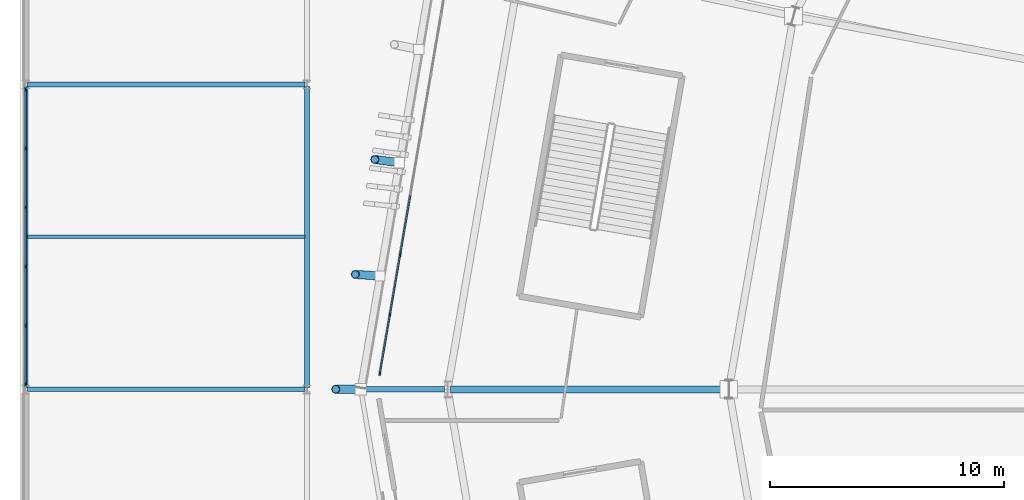
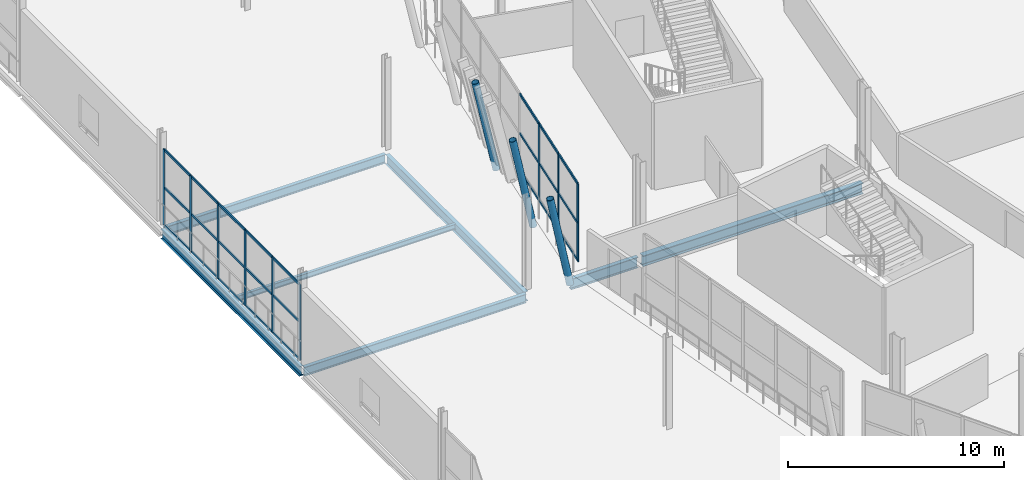
# One storey, part 37 of 168: 36 members, 7 beams, 2 elements without a shape of their own.
"""IFC4 building model written with IfcOpenShell, lengths in metres."""

import ifcopenshell
import ifcopenshell.guid

model = None  # the IFC model being written
_history = None  # IfcOwnerHistory: only IFC2X3 demands one
_inside = {}  # id of a spatial element -> (the spatial element, [elements in it])
_under = {}  # id of a project, library or spatial element -> (it, [spatial elements below it])
_declared = {}  # id of a project -> (the project, [libraries it declares])
_typed = {}  # id of a type object -> (the type object, [elements of that type])
_made_of = {}  # id of a material, layer set ... -> (it, [elements and type objects made of it])


def new_model(schema):
    """Start an empty IFC model of exactly this schema.

    Asked for "IFC4X3", IfcOpenShell would pick the latest addendum, in which some entities
    have other attributes; the version numbers below select the first issue.
    IFC2X3 requires an IfcOwnerHistory on every rooted entity: one is made here for all.
    """
    global model, _history
    if schema == "IFC4X3":
        model = ifcopenshell.file(schema_version=(4, 3, 0, 0))
    else:
        model = ifcopenshell.file(schema=schema)
    _inside.clear()
    _under.clear()
    _declared.clear()
    _typed.clear()
    _made_of.clear()
    _history = None
    if model.schema == "IFC2X3":
        org = make("IfcOrganization", Name="unknown")
        user = make(
            "IfcPersonAndOrganization",
            ThePerson=make("IfcPerson", FamilyName="unknown"),
            TheOrganization=org,
        )
        app = make(
            "IfcApplication",
            ApplicationDeveloper=org,
            Version="unknown",
            ApplicationFullName="unknown",
            ApplicationIdentifier="unknown",
        )
        _history = make(
            "IfcOwnerHistory",
            OwningUser=user,
            OwningApplication=app,
            ChangeAction="ADDED",
            CreationDate=0,
        )
    return model


def make(cls, **values):
    """One entity of the class cls with the attributes given. An attribute that is None is left unset."""
    return model.create_entity(
        cls, **{name: value for name, value in values.items() if value is not None}
    )


def rooted(cls, **values):
    """An entity with a GlobalId (a new one), such as an element, a storey or a relation."""
    return make(cls, GlobalId=ifcopenshell.guid.new(), OwnerHistory=_history, **values)


def si_unit(unit_type, name, prefix=None):
    """IfcSIUnit, for example si_unit("LENGTHUNIT", "METRE", prefix="MILLI")."""
    return make("IfcSIUnit", UnitType=unit_type, Prefix=prefix, Name=name)


def assignment(units):
    """IfcUnitAssignment: the units of a project."""
    return None if units is None else make("IfcUnitAssignment", Units=units)


def point(xyz):
    """IfcCartesianPoint."""
    return None if xyz is None else make("IfcCartesianPoint", Coordinates=xyz)


def direction(xyz):
    """IfcDirection."""
    return None if xyz is None else make("IfcDirection", DirectionRatios=xyz)


def frame(location, z_axis=None, x_axis=None):
    """IfcAxis2Placement3D, a coordinate frame: its origin and axes. An axis left out is left unset."""
    return make(
        "IfcAxis2Placement3D",
        Location=point(location),
        Axis=direction(z_axis),
        RefDirection=direction(x_axis),
    )


def frame_2d(location, x_axis=None):
    """IfcAxis2Placement2D, a coordinate frame in the plane: its origin and x axis."""
    return make(
        "IfcAxis2Placement2D", Location=point(location), RefDirection=direction(x_axis)
    )


def origin():
    """The frame at (0, 0, 0) with its axes left unset."""
    return frame((0.0, 0.0, 0.0))


def origin_2d():
    """The frame at (0, 0) in the plane with its x axis left unset."""
    return frame_2d((0.0, 0.0))


def place(relative_to, where):
    """IfcLocalPlacement: puts the frame where relative to a parent placement (None: the world)."""
    return make(
        "IfcLocalPlacement", PlacementRelTo=relative_to, RelativePlacement=where
    )


def context(
    kind, dimensions, precision=None, world=None, true_north=None, identifier=None
):
    """IfcGeometricRepresentationContext, for example the 3D "Model" context."""
    return make(
        "IfcGeometricRepresentationContext",
        ContextIdentifier=identifier,
        ContextType=kind,
        CoordinateSpaceDimension=dimensions,
        Precision=precision,
        WorldCoordinateSystem=world,
        TrueNorth=true_north,
    )


def subcontext(parent, identifier, kind, view, scale=None):
    """IfcGeometricRepresentationSubContext, for example "Body" below "Model"."""
    return make(
        "IfcGeometricRepresentationSubContext",
        ContextIdentifier=identifier,
        ContextType=kind,
        ParentContext=parent,
        TargetScale=scale,
        TargetView=view,
    )


def project(units=None, contexts=None):
    """IfcProject with its units and contexts."""
    return rooted(
        "IfcProject",
        Name="project",
        RepresentationContexts=contexts,
        UnitsInContext=assignment(units),
    )


def spatial(cls, under=None, at=None, **own):
    """A site, building, storey or space (cls), placed at a placement, below another one or the project."""
    s = rooted(cls, ObjectPlacement=at, **own)
    if under is not None:
        _under.setdefault(under.id(), (under, []))[1].append(s)
    return s


def profile(cls, at=None, kind="AREA", **sizes):
    """A parametric profile (cls). Its sizes go by their IFC names, for example OverallWidth=200.0."""
    return make(cls, ProfileType=kind, Position=at, **sizes)


def rectangle(**sizes):
    """IfcRectangleProfileDef."""
    return profile("IfcRectangleProfileDef", **sizes)


def hollow_circle(**sizes):
    """IfcCircleHollowProfileDef."""
    return profile("IfcCircleHollowProfileDef", **sizes)


def i_section(**sizes):
    """IfcIShapeProfileDef."""
    return profile("IfcIShapeProfileDef", **sizes)


def extrude(swept, where, along, depth):
    """IfcExtrudedAreaSolid: the profile swept, set in the frame where, extruded along a direction by depth."""
    return make(
        "IfcExtrudedAreaSolid",
        SweptArea=swept,
        Position=where,
        ExtrudedDirection=direction(along),
        Depth=depth,
    )


def shape(context_of_items, identifier, shape_type, items):
    """IfcShapeRepresentation: the items that make up one representation, for example the "Body"."""
    return make(
        "IfcShapeRepresentation",
        ContextOfItems=context_of_items,
        RepresentationIdentifier=identifier,
        RepresentationType=shape_type,
        Items=items,
    )


def material(Name=None, Category=None):
    """IfcMaterial."""
    return make("IfcMaterial", Name=Name, Category=Category)


def material_profile(
    of_material, cross_section, Name=None, Category=None, Priority=None
):
    """IfcMaterialProfile: a cross section and its material."""
    return make(
        "IfcMaterialProfile",
        Name=Name,
        Material=of_material,
        Profile=cross_section,
        Priority=Priority,
        Category=Category,
    )


def profile_set(profiles, Name=None, composite=None):
    """IfcMaterialProfileSet."""
    return make(
        "IfcMaterialProfileSet",
        Name=Name,
        MaterialProfiles=profiles,
        CompositeProfile=composite,
    )


def made_of(thing, what):
    """Note that an element or type object is made of a material, layer set ...; save() writes the relation."""
    if what is not None:
        _made_of.setdefault(what.id(), (what, []))[1].append(thing)
    return thing


def type_object(cls, material=None, **own):
    """A type object (cls), such as IfcWallType, which elements share."""
    return made_of(rooted(cls, **own), material)


def element(
    cls,
    number,
    at=None,
    inside=None,
    cuts=None,
    type_object=None,
    material=None,
    context=None,
    identifier="Body",
    shape_type=None,
    held_by="IfcProductDefinitionShape",
    body=None,
    shapes=None,
    **own,
):
    """One element of the class cls, such as IfcWall. Its Tag is "e" and its number.

    at: its placement. inside: the storey or other place that contains it. cuts: it is an
    opening in that element (IfcRelVoidsElement). A single representation is given by context,
    identifier, shape_type and body (its items); several are given by shapes. held_by: the class
    of the entity that holds the representations. save() writes the other relations.
    """
    e = rooted(cls, Tag="e%d" % number, ObjectPlacement=at, **own)
    if body is not None:
        shapes = [shape(context, identifier, shape_type, body)]
    if shapes is not None:
        e.Representation = make(held_by, Representations=shapes)
    if inside is not None:
        _inside.setdefault(inside.id(), (inside, []))[1].append(e)
    if cuts is not None:
        rooted(
            "IfcRelVoidsElement", RelatingBuildingElement=cuts, RelatedOpeningElement=e
        )
    if type_object is not None:
        _typed.setdefault(type_object.id(), (type_object, []))[1].append(e)
    return made_of(e, material)


def aggregate(whole, parts):
    """IfcRelAggregates: a whole, such as a stair, and the parts it consists of."""
    return rooted("IfcRelAggregates", RelatingObject=whole, RelatedObjects=parts)


def save(model, path):
    """Write the relations noted so far, then the file.

    IfcRelAggregates (storeys below a building ...), IfcRelContainedInSpatialStructure (elements
    in a storey), IfcRelDefinesByType, IfcRelAssociatesMaterial and IfcRelDeclares: one each for
    every whole, place, type object, material and project.
    """
    for whole, parts in _under.values():
        aggregate(whole, parts)
    for where, things in _inside.values():
        rooted(
            "IfcRelContainedInSpatialStructure",
            RelatedElements=things,
            RelatingStructure=where,
        )
    for kind, things in _typed.values():
        rooted("IfcRelDefinesByType", RelatedObjects=things, RelatingType=kind)
    for what, things in _made_of.values():
        rooted("IfcRelAssociatesMaterial", RelatedObjects=things, RelatingMaterial=what)
    for by, libraries in _declared.values():
        rooted("IfcRelDeclares", RelatingContext=by, RelatedDefinitions=libraries)
    model.write(path)


model = new_model("IFC4")

# Units and contexts
model_context = context("Model", 3, precision=1e-05, world=origin(), true_north=direction((0.0, 1.0)))
body_context = subcontext(model_context, "Body", "Model", "MODEL_VIEW")
ifc_project = project(units=[si_unit("LENGTHUNIT", "METRE"), si_unit("AREAUNIT", "SQUARE_METRE"), si_unit("VOLUMEUNIT", "CUBIC_METRE"), si_unit("PLANEANGLEUNIT", "RADIAN"), si_unit("MASSUNIT", "GRAM", prefix="KILO")], contexts=[model_context])

# Site, building, storey
site_placement = place(None, origin())
site = spatial("IfcSite", under=ifc_project, at=site_placement, CompositionType="ELEMENT")
building_placement = place(site_placement, origin())
building = spatial("IfcBuilding", under=site, at=building_placement, Name="Zlatoyarsky Gate Stadium", CompositionType="ELEMENT")
storey_placement = place(building_placement, frame((0.0, 0.0, 15.60009765625)))
storey = spatial("IfcBuildingStorey", under=building, at=storey_placement, Name="L03", CompositionType="ELEMENT", Elevation=15.60009765625)

# Curtain wall, members
ifc_material_1 = material(Name="Thermally broken anodised aluminium curtain wall", Category="aluminium")
curtain_wall_type_1 = type_object("IfcCurtainWallType", Name="UNITISED CORPORATE BOX GLAZING L03", PredefinedType="USERDEFINED", material=ifc_material_1)
curtain_wall_1_placement = place(storey_placement, origin())
curtain_wall_1 = element("IfcCurtainWall", 1, at=curtain_wall_1_placement, inside=storey, type_object=curtain_wall_type_1, Name="Curtain wall CW-L03-11", ObjectType="UNITISED GLAZING", PredefinedType="USERDEFINED")
ifc_material_2 = material(Name="Anodised aluminium 6063-T6", Category="aluminium")
ifc_material_profile_1 = material_profile(ifc_material_2, rectangle(XDim=0.06494140625, YDim=0.159912109375, at=origin_2d()), Name="ALU 65X160")
ifc_profile_set_1 = profile_set([ifc_material_profile_1], Name="Anodised aluminium 6063-T6")
member_type_1 = type_object("IfcMemberType", Name="ALUMINIUM MULLION 65X160", PredefinedType="MULLION", material=ifc_profile_set_1)
member_1_placement = place(storey_placement, frame((15.979248046875, 85.746826171875, 0.0), z_axis=(0.0, 0.0, 1.0), x_axis=(0.985726202408, -0.168356330104, 0.0)))
member_1 = element("IfcMember", 2, at=member_1_placement, type_object=member_type_1, Name="CW-UG3 mullion 6", PredefinedType="MULLION", context=body_context, shape_type="SweptSolid", body=[
    extrude(rectangle(XDim=0.06494140625, YDim=0.159912109375, at=origin_2d()), origin(), (0.0, 0.0, 1.0), 4.3798828125),
])
member_2_placement = place(storey_placement, frame((15.543212890625, 83.19384765625, 0.0), z_axis=(0.0, 0.0, 1.0), x_axis=(0.985726202408, -0.168356330104, 0.0)))
member_2 = element("IfcMember", 3, at=member_2_placement, type_object=member_type_1, Name="CW-UG3 mullion 7", PredefinedType="MULLION", context=body_context, shape_type="SweptSolid", body=[
    extrude(rectangle(XDim=0.06494140625, YDim=0.159912109375, at=origin_2d()), origin(), (0.0, 0.0, 1.0), 4.3798828125),
])
member_3_placement = place(storey_placement, frame((15.11279296875, 80.6728515625, 0.0), z_axis=(0.0, 0.0, 1.0), x_axis=(0.985726202408, -0.168356330104, 0.0)))
member_3 = element("IfcMember", 4, at=member_3_placement, type_object=member_type_1, Name="CW-UG3 mullion 8", PredefinedType="MULLION", context=body_context, shape_type="SweptSolid", body=[
    extrude(rectangle(XDim=0.06494140625, YDim=0.159912109375, at=origin_2d()), origin(), (0.0, 0.0, 1.0), 4.3798828125),
])

curtain_wall_type_2 = type_object("IfcCurtainWallType", Name="WINTER GARDEN CONSERVATORY GLAZING", PredefinedType="USERDEFINED", material=ifc_material_1)
curtain_wall_2_placement = place(storey_placement, origin())
curtain_wall_2 = element("IfcCurtainWall", 5, at=curtain_wall_2_placement, inside=storey, type_object=curtain_wall_type_2, Name="Curtain wall CW-V4_WEST-L03-172", ObjectType="UNITISED GLAZING", PredefinedType="USERDEFINED")
member_4_placement = place(storey_placement, frame((0.0, 80.224609375, 0.0), z_axis=(0.0, 0.0, 1.0), x_axis=(-1.0, 0.0, 0.0)))
member_4 = element("IfcMember", 6, at=member_4_placement, type_object=member_type_1, Name="CW-WG1 mullion 1", PredefinedType="MULLION", context=body_context, shape_type="SweptSolid", body=[
    extrude(rectangle(XDim=0.06494140625, YDim=0.159912109375, at=origin_2d()), origin(), (0.0, 0.0, 1.0), 4.27978515625),
])
member_5_placement = place(storey_placement, frame((0.0, 82.715087890625, 0.0), z_axis=(0.0, 0.0, 1.0), x_axis=(-1.0, 0.0, 0.0)))
member_5 = element("IfcMember", 7, at=member_5_placement, type_object=member_type_1, Name="CW-WG1 mullion 2", PredefinedType="MULLION", context=body_context, shape_type="SweptSolid", body=[
    extrude(rectangle(XDim=0.06494140625, YDim=0.159912109375, at=origin_2d()), origin(), (0.0, 0.0, 1.0), 4.27978515625),
])
member_6_placement = place(storey_placement, frame((0.0, 85.23828125, 0.0), z_axis=(0.0, 0.0, 1.0), x_axis=(-1.0, 0.0, 0.0)))
member_6 = element("IfcMember", 8, at=member_6_placement, type_object=member_type_1, Name="CW-WG1 mullion 3", PredefinedType="MULLION", context=body_context, shape_type="SweptSolid", body=[
    extrude(rectangle(XDim=0.06494140625, YDim=0.159912109375, at=origin_2d()), origin(), (0.0, 0.0, 1.0), 4.27978515625),
])
member_7_placement = place(storey_placement, frame((0.0, 87.76171875, 0.0), z_axis=(0.0, 0.0, 1.0), x_axis=(-1.0, 0.0, 0.0)))
member_7 = element("IfcMember", 9, at=member_7_placement, type_object=member_type_1, Name="CW-WG1 mullion 4", PredefinedType="MULLION", context=body_context, shape_type="SweptSolid", body=[
    extrude(rectangle(XDim=0.06494140625, YDim=0.159912109375, at=origin_2d()), origin(), (0.0, 0.0, 1.0), 4.27978515625),
])
member_8_placement = place(storey_placement, frame((0.0, 90.284912109375, 0.0), z_axis=(0.0, 0.0, 1.0), x_axis=(-1.0, 0.0, 0.0)))
member_8 = element("IfcMember", 10, at=member_8_placement, type_object=member_type_1, Name="CW-WG1 mullion 5", PredefinedType="MULLION", context=body_context, shape_type="SweptSolid", body=[
    extrude(rectangle(XDim=0.06494140625, YDim=0.159912109375, at=origin_2d()), origin(), (0.0, 0.0, 1.0), 4.27978515625),
])
member_9_placement = place(storey_placement, frame((0.0, 92.775390625, 0.0), z_axis=(0.0, 0.0, 1.0), x_axis=(-1.0, 0.0, 0.0)))
member_9 = element("IfcMember", 11, at=member_9_placement, type_object=member_type_1, Name="CW-WG1 mullion 6", PredefinedType="MULLION", context=body_context, shape_type="SweptSolid", body=[
    extrude(rectangle(XDim=0.06494140625, YDim=0.159912109375, at=origin_2d()), origin(), (0.0, 0.0, 1.0), 4.27978515625),
])

# Member
ifc_material_profile_2 = material_profile(ifc_material_2, rectangle(XDim=0.06494140625, YDim=0.139892578125, at=origin_2d()), Name="ALU 65X140")
ifc_profile_set_2 = profile_set([ifc_material_profile_2], Name="Anodised aluminium 6063-T6")
member_type_2 = type_object("IfcMemberType", Name="ALUMINIUM TRANSOM 65X140", PredefinedType="USERDEFINED", material=ifc_profile_set_2)
member_10_placement = place(storey_placement, frame((16.409912109375, 88.26806640625, 0.032470703125), z_axis=(-0.168333125822, -0.985730165284, 0.0), x_axis=(0.985730165284, -0.168333125822, 0.0)))
member_10 = element("IfcMember", 12, at=member_10_placement, type_object=member_type_2, Name="CW-UG3 transom 5.1", ObjectType="TRANSOM", PredefinedType="USERDEFINED", context=body_context, shape_type="SweptSolid", body=[
    extrude(rectangle(XDim=0.06494140625, YDim=0.139892578125, at=origin_2d()), origin(), (0.0, 0.0, 1.0), 2.525146484375),
])

member_11_placement = place(storey_placement, frame((16.409912109375, 88.26806640625, 2.14990234375), z_axis=(-0.168333125822, -0.985730165284, 0.0), x_axis=(0.985730165284, -0.168333125822, 0.0)))
member_11 = element("IfcMember", 13, at=member_11_placement, type_object=member_type_2, Name="CW-UG3 transom 5.2", ObjectType="TRANSOM", PredefinedType="USERDEFINED", context=body_context, shape_type="SweptSolid", body=[
    extrude(rectangle(XDim=0.06494140625, YDim=0.139892578125, at=origin_2d()), origin(), (0.0, 0.0, 1.0), 2.525146484375),
])

member_12_placement = place(storey_placement, frame((16.409912109375, 88.26806640625, 4.347412109375), z_axis=(-0.168333125822, -0.985730165284, 0.0), x_axis=(0.985730165284, -0.168333125822, 0.0)))
member_12 = element("IfcMember", 14, at=member_12_placement, type_object=member_type_2, Name="CW-UG3 transom 5.3", ObjectType="TRANSOM", PredefinedType="USERDEFINED", context=body_context, shape_type="SweptSolid", body=[
    extrude(rectangle(XDim=0.06494140625, YDim=0.139892578125, at=origin_2d()), origin(), (0.0, 0.0, 1.0), 2.525146484375),
])

member_13_placement = place(storey_placement, frame((15.973876953125, 85.71484375, 0.032470703125), z_axis=(-0.168333125822, -0.985730165284, 0.0), x_axis=(0.985730165284, -0.168333125822, 0.0)))
member_13 = element("IfcMember", 15, at=member_13_placement, type_object=member_type_2, Name="CW-UG3 transom 6.1", ObjectType="TRANSOM", PredefinedType="USERDEFINED", context=body_context, shape_type="SweptSolid", body=[
    extrude(rectangle(XDim=0.06494140625, YDim=0.139892578125, at=origin_2d()), origin(), (0.0, 0.0, 1.0), 2.525146484375),
])

member_14_placement = place(storey_placement, frame((15.973876953125, 85.71484375, 2.14990234375), z_axis=(-0.168333125822, -0.985730165284, 0.0), x_axis=(0.985730165284, -0.168333125822, 0.0)))
member_14 = element("IfcMember", 16, at=member_14_placement, type_object=member_type_2, Name="CW-UG3 transom 6.2", ObjectType="TRANSOM", PredefinedType="USERDEFINED", context=body_context, shape_type="SweptSolid", body=[
    extrude(rectangle(XDim=0.06494140625, YDim=0.139892578125, at=origin_2d()), origin(), (0.0, 0.0, 1.0), 2.525146484375),
])

member_15_placement = place(storey_placement, frame((15.973876953125, 85.71484375, 4.347412109375), z_axis=(-0.168333125822, -0.985730165284, 0.0), x_axis=(0.985730165284, -0.168333125822, 0.0)))
member_15 = element("IfcMember", 17, at=member_15_placement, type_object=member_type_2, Name="CW-UG3 transom 6.3", ObjectType="TRANSOM", PredefinedType="USERDEFINED", context=body_context, shape_type="SweptSolid", body=[
    extrude(rectangle(XDim=0.06494140625, YDim=0.139892578125, at=origin_2d()), origin(), (0.0, 0.0, 1.0), 2.525146484375),
])

member_16_placement = place(storey_placement, frame((15.537841796875, 83.161865234375, 0.032470703125), z_axis=(-0.168368421293, -0.985724137227, 0.0), x_axis=(0.985724137227, -0.168368421293, 0.0)))
member_16 = element("IfcMember", 18, at=member_16_placement, type_object=member_type_2, Name="CW-UG3 transom 7.1", ObjectType="TRANSOM", PredefinedType="USERDEFINED", context=body_context, shape_type="SweptSolid", body=[
    extrude(rectangle(XDim=0.06494140625, YDim=0.139892578125, at=origin_2d()), origin(), (0.0, 0.0, 1.0), 2.49267578125),
])

member_17_placement = place(storey_placement, frame((15.537841796875, 83.161865234375, 2.14990234375), z_axis=(-0.168368421293, -0.985724137227, 0.0), x_axis=(0.985724137227, -0.168368421293, 0.0)))
member_17 = element("IfcMember", 19, at=member_17_placement, type_object=member_type_2, Name="CW-UG3 transom 7.2", ObjectType="TRANSOM", PredefinedType="USERDEFINED", context=body_context, shape_type="SweptSolid", body=[
    extrude(rectangle(XDim=0.06494140625, YDim=0.139892578125, at=origin_2d()), origin(), (0.0, 0.0, 1.0), 2.49267578125),
])

member_18_placement = place(storey_placement, frame((15.537841796875, 83.161865234375, 4.347412109375), z_axis=(-0.168368421293, -0.985724137227, 0.0), x_axis=(0.985724137227, -0.168368421293, 0.0)))
member_18 = element("IfcMember", 20, at=member_18_placement, type_object=member_type_2, Name="CW-UG3 transom 7.3", ObjectType="TRANSOM", PredefinedType="USERDEFINED", context=body_context, shape_type="SweptSolid", body=[
    extrude(rectangle(XDim=0.06494140625, YDim=0.139892578125, at=origin_2d()), origin(), (0.0, 0.0, 1.0), 2.49267578125),
])

aggregate(curtain_wall_1, [member_1, member_2, member_3, member_10, member_11, member_12, member_13, member_14, member_15, member_16, member_17, member_18])

member_19_placement = place(storey_placement, frame((0.0, 80.257080078125, 0.032470703125), z_axis=(0.0, 1.0, 0.0), x_axis=(-1.0, 0.0, 0.0)))
member_19 = element("IfcMember", 21, at=member_19_placement, type_object=member_type_2, Name="CW-WG1 transom 1.1", ObjectType="TRANSOM", PredefinedType="USERDEFINED", context=body_context, shape_type="SweptSolid", body=[
    extrude(rectangle(XDim=0.06494140625, YDim=0.139892578125, at=origin_2d()), origin(), (0.0, 0.0, 1.0), 2.425537109375),
])

member_20_placement = place(storey_placement, frame((0.0, 80.257080078125, 2.14990234375), z_axis=(0.0, 1.0, 0.0), x_axis=(-1.0, 0.0, 0.0)))
member_20 = element("IfcMember", 22, at=member_20_placement, type_object=member_type_2, Name="CW-WG1 transom 1.2", ObjectType="TRANSOM", PredefinedType="USERDEFINED", context=body_context, shape_type="SweptSolid", body=[
    extrude(rectangle(XDim=0.06494140625, YDim=0.139892578125, at=origin_2d()), origin(), (0.0, 0.0, 1.0), 2.425537109375),
])

member_21_placement = place(storey_placement, frame((0.0, 80.257080078125, 4.247314453125), z_axis=(0.0, 1.0, 0.0), x_axis=(-1.0, 0.0, 0.0)))
member_21 = element("IfcMember", 23, at=member_21_placement, type_object=member_type_2, Name="CW-WG1 transom 1.3", ObjectType="TRANSOM", PredefinedType="USERDEFINED", context=body_context, shape_type="SweptSolid", body=[
    extrude(rectangle(XDim=0.06494140625, YDim=0.139892578125, at=origin_2d()), origin(), (0.0, 0.0, 1.0), 2.425537109375),
])

member_22_placement = place(storey_placement, frame((0.0, 82.747802734375, 0.032470703125), z_axis=(0.0, 1.0, 0.0), x_axis=(-1.0, 0.0, 0.0)))
member_22 = element("IfcMember", 24, at=member_22_placement, type_object=member_type_2, Name="CW-WG1 transom 2.1", ObjectType="TRANSOM", PredefinedType="USERDEFINED", context=body_context, shape_type="SweptSolid", body=[
    extrude(rectangle(XDim=0.06494140625, YDim=0.139892578125, at=origin_2d()), origin(), (0.0, 0.0, 1.0), 2.4580078125),
])

member_23_placement = place(storey_placement, frame((0.0, 82.747802734375, 2.14990234375), z_axis=(0.0, 1.0, 0.0), x_axis=(-1.0, 0.0, 0.0)))
member_23 = element("IfcMember", 25, at=member_23_placement, type_object=member_type_2, Name="CW-WG1 transom 2.2", ObjectType="TRANSOM", PredefinedType="USERDEFINED", context=body_context, shape_type="SweptSolid", body=[
    extrude(rectangle(XDim=0.06494140625, YDim=0.139892578125, at=origin_2d()), origin(), (0.0, 0.0, 1.0), 2.4580078125),
])

member_24_placement = place(storey_placement, frame((0.0, 82.747802734375, 4.247314453125), z_axis=(0.0, 1.0, 0.0), x_axis=(-1.0, 0.0, 0.0)))
member_24 = element("IfcMember", 26, at=member_24_placement, type_object=member_type_2, Name="CW-WG1 transom 2.3", ObjectType="TRANSOM", PredefinedType="USERDEFINED", context=body_context, shape_type="SweptSolid", body=[
    extrude(rectangle(XDim=0.06494140625, YDim=0.139892578125, at=origin_2d()), origin(), (0.0, 0.0, 1.0), 2.4580078125),
])

member_25_placement = place(storey_placement, frame((0.0, 85.27099609375, 0.032470703125), z_axis=(0.0, 1.0, 0.0), x_axis=(-1.0, 0.0, 0.0)))
member_25 = element("IfcMember", 27, at=member_25_placement, type_object=member_type_2, Name="CW-WG1 transom 3.1", ObjectType="TRANSOM", PredefinedType="USERDEFINED", context=body_context, shape_type="SweptSolid", body=[
    extrude(rectangle(XDim=0.06494140625, YDim=0.139892578125, at=origin_2d()), origin(), (0.0, 0.0, 1.0), 2.4580078125),
])

member_26_placement = place(storey_placement, frame((0.0, 85.27099609375, 2.14990234375), z_axis=(0.0, 1.0, 0.0), x_axis=(-1.0, 0.0, 0.0)))
member_26 = element("IfcMember", 28, at=member_26_placement, type_object=member_type_2, Name="CW-WG1 transom 3.2", ObjectType="TRANSOM", PredefinedType="USERDEFINED", context=body_context, shape_type="SweptSolid", body=[
    extrude(rectangle(XDim=0.06494140625, YDim=0.139892578125, at=origin_2d()), origin(), (0.0, 0.0, 1.0), 2.4580078125),
])

member_27_placement = place(storey_placement, frame((0.0, 85.27099609375, 4.247314453125), z_axis=(0.0, 1.0, 0.0), x_axis=(-1.0, 0.0, 0.0)))
member_27 = element("IfcMember", 29, at=member_27_placement, type_object=member_type_2, Name="CW-WG1 transom 3.3", ObjectType="TRANSOM", PredefinedType="USERDEFINED", context=body_context, shape_type="SweptSolid", body=[
    extrude(rectangle(XDim=0.06494140625, YDim=0.139892578125, at=origin_2d()), origin(), (0.0, 0.0, 1.0), 2.4580078125),
])

member_28_placement = place(storey_placement, frame((0.0, 87.794189453125, 0.032470703125), z_axis=(0.0, 1.0, 0.0), x_axis=(-1.0, 0.0, 0.0)))
member_28 = element("IfcMember", 30, at=member_28_placement, type_object=member_type_2, Name="CW-WG1 transom 4.1", ObjectType="TRANSOM", PredefinedType="USERDEFINED", context=body_context, shape_type="SweptSolid", body=[
    extrude(rectangle(XDim=0.06494140625, YDim=0.139892578125, at=origin_2d()), origin(), (0.0, 0.0, 1.0), 2.4580078125),
])

member_29_placement = place(storey_placement, frame((0.0, 87.794189453125, 2.14990234375), z_axis=(0.0, 1.0, 0.0), x_axis=(-1.0, 0.0, 0.0)))
member_29 = element("IfcMember", 31, at=member_29_placement, type_object=member_type_2, Name="CW-WG1 transom 4.2", ObjectType="TRANSOM", PredefinedType="USERDEFINED", context=body_context, shape_type="SweptSolid", body=[
    extrude(rectangle(XDim=0.06494140625, YDim=0.139892578125, at=origin_2d()), origin(), (0.0, 0.0, 1.0), 2.4580078125),
])

member_30_placement = place(storey_placement, frame((0.0, 87.794189453125, 4.247314453125), z_axis=(0.0, 1.0, 0.0), x_axis=(-1.0, 0.0, 0.0)))
member_30 = element("IfcMember", 32, at=member_30_placement, type_object=member_type_2, Name="CW-WG1 transom 4.3", ObjectType="TRANSOM", PredefinedType="USERDEFINED", context=body_context, shape_type="SweptSolid", body=[
    extrude(rectangle(XDim=0.06494140625, YDim=0.139892578125, at=origin_2d()), origin(), (0.0, 0.0, 1.0), 2.4580078125),
])

member_31_placement = place(storey_placement, frame((0.0, 90.3173828125, 0.032470703125), z_axis=(0.0, 1.0, 0.0), x_axis=(-1.0, 0.0, 0.0)))
member_31 = element("IfcMember", 33, at=member_31_placement, type_object=member_type_2, Name="CW-WG1 transom 5.1", ObjectType="TRANSOM", PredefinedType="USERDEFINED", context=body_context, shape_type="SweptSolid", body=[
    extrude(rectangle(XDim=0.06494140625, YDim=0.139892578125, at=origin_2d()), origin(), (0.0, 0.0, 1.0), 2.425537109375),
])

member_32_placement = place(storey_placement, frame((0.0, 90.3173828125, 2.14990234375), z_axis=(0.0, 1.0, 0.0), x_axis=(-1.0, 0.0, 0.0)))
member_32 = element("IfcMember", 34, at=member_32_placement, type_object=member_type_2, Name="CW-WG1 transom 5.2", ObjectType="TRANSOM", PredefinedType="USERDEFINED", context=body_context, shape_type="SweptSolid", body=[
    extrude(rectangle(XDim=0.06494140625, YDim=0.139892578125, at=origin_2d()), origin(), (0.0, 0.0, 1.0), 2.425537109375),
])

member_33_placement = place(storey_placement, frame((0.0, 90.3173828125, 4.247314453125), z_axis=(0.0, 1.0, 0.0), x_axis=(-1.0, 0.0, 0.0)))
member_33 = element("IfcMember", 35, at=member_33_placement, type_object=member_type_2, Name="CW-WG1 transom 5.3", ObjectType="TRANSOM", PredefinedType="USERDEFINED", context=body_context, shape_type="SweptSolid", body=[
    extrude(rectangle(XDim=0.06494140625, YDim=0.139892578125, at=origin_2d()), origin(), (0.0, 0.0, 1.0), 2.425537109375),
])

aggregate(curtain_wall_2, [member_4, member_5, member_6, member_7, member_8, member_9, member_19, member_20, member_21, member_22, member_23, member_24, member_25, member_26, member_27, member_28, member_29, member_30, member_31, member_32, member_33])

# Beams
ifc_material_3 = material(Name="Steel S355", Category="steel")
ifc_material_profile_3 = material_profile(ifc_material_3, i_section(OverallWidth=0.219970703125, OverallDepth=0.60009765625, WebThickness=0.011962890625, FlangeThickness=0.01904296875, FilletRadius=0.02392578125, at=origin_2d()), Name="IPE 600")
ifc_profile_set_3 = profile_set([ifc_material_profile_3], Name="Steel S355")
beam_type_1 = type_object("IfcBeamType", Name="STEEL CANTILEVER FLOOR BEAM IPE 600", PredefinedType="BEAM", material=ifc_profile_set_3)
beam_1_placement = place(storey_placement, frame((17.8798828125, 80.0, -0.580078125), z_axis=(-1.0, 0.0, 0.0), x_axis=(0.0, -1.0, 0.0)))
element("IfcBeam", 36, at=beam_1_placement, inside=storey, type_object=beam_type_1, Name="Beam B-IPE600 BM-L03-OUT-12", PredefinedType="BEAM", context=body_context, shape_type="SweptSolid", body=[
    extrude(i_section(OverallWidth=0.219970703125, OverallDepth=0.60009765625, WebThickness=0.011962890625, FlangeThickness=0.01904296875, FilletRadius=0.02392578125, at=origin_2d()), origin(), (0.0, 0.0, 1.0), 3.58203125),
])
ifc_material_profile_4 = material_profile(ifc_material_3, i_section(OverallWidth=0.199951171875, OverallDepth=0.5, WebThickness=0.01025390625, FlangeThickness=0.01611328125, FilletRadius=0.02099609375, at=origin_2d()), Name="IPE 500")
ifc_profile_set_4 = profile_set([ifc_material_profile_4], Name="Steel S355")
beam_type_2 = type_object("IfcBeamType", Name="STEEL FLOOR BEAM IPE 500", PredefinedType="BEAM", material=ifc_profile_set_4)
for number, where, z_axis, x_axis, name in (
    (37, (0.080078125, 80.0, -0.530029296875), (1.0, 0.0, 0.0), (0.0, 1.0, 0.0), "Beam B-IPE500 BM-L03-WGX-1-H"),
    (38, (0.080078125, 93.0, -0.530029296875), (1.0, 0.0, 0.0), (0.0, 1.0, 0.0), "Beam B-IPE500 BM-L03-WGX-1-J"),
):
    element("IfcBeam", number, at=place(storey_placement, frame(where, z_axis=z_axis, x_axis=x_axis)), inside=storey, type_object=beam_type_2, Name=name, PredefinedType="BEAM", context=body_context, shape_type="SweptSolid", body=[
        extrude(i_section(OverallWidth=0.199951171875, OverallDepth=0.5, WebThickness=0.01025390625, FlangeThickness=0.01611328125, FilletRadius=0.02099609375, at=origin_2d()), origin(), (0.0, 0.0, 1.0), 11.83984375),
    ])
ifc_material_profile_5 = material_profile(ifc_material_3, i_section(OverallWidth=0.2099609375, OverallDepth=0.550048828125, WebThickness=0.010986328125, FlangeThickness=0.01708984375, FilletRadius=0.02392578125, at=origin_2d()), Name="IPE 550")
ifc_profile_set_5 = profile_set([ifc_material_profile_5], Name="Steel S355")
beam_type_3 = type_object("IfcBeamType", Name="STEEL FLOOR BEAM IPE 550", PredefinedType="BEAM", material=ifc_profile_set_5)
for number, where, z_axis, x_axis, name in (
    (39, (0.0, 80.080078125, -0.55517578125), (0.0, 1.0, 0.0), (-1.0, 0.0, 0.0), "Beam B-IPE550 BM-L03-WGY-1-H"),
    (40, (12.0, 80.080078125, -0.55517578125), (0.0, 1.0, 0.0), (-1.0, 0.0, 0.0), "Beam B-IPE550 BM-L03-WGY-2-H"),
):
    element("IfcBeam", number, at=place(storey_placement, frame(where, z_axis=z_axis, x_axis=x_axis)), inside=storey, type_object=beam_type_3, Name=name, PredefinedType="BEAM", context=body_context, shape_type="SweptSolid", body=[
        extrude(i_section(OverallWidth=0.2099609375, OverallDepth=0.550048828125, WebThickness=0.010986328125, FlangeThickness=0.01708984375, FilletRadius=0.02392578125, at=origin_2d()), origin(), (0.0, 0.0, 1.0), 12.83984375),
    ])

# Members
ifc_material_profile_6 = material_profile(ifc_material_3, hollow_circle(Radius=0.177734375, WallThickness=0.02001953125, at=origin_2d()), Name="CHS 355.6X20")
ifc_profile_set_6 = profile_set([ifc_material_profile_6], Name="Steel S355")
member_type_3 = type_object("IfcMemberType", Name="STEEL LEANING RIB RING STRUT CHS 355.6X20", PredefinedType="STRUT", material=ifc_profile_set_6)
member_34_placement = place(storey_placement, frame((14.2978515625, 80.0, -0.580078125), z_axis=(-0.201820940285, 0.0, 0.97942243596), x_axis=(0.0, -1.0, 0.0)))
element("IfcMember", 41, at=member_34_placement, inside=storey, type_object=member_type_3, Name="Leaning ring strut 12 L03 to L04", PredefinedType="STRUT", context=body_context, shape_type="SweptSolid", body=[
    extrude(hollow_circle(Radius=0.177734375, WallThickness=0.02001953125, at=origin_2d()), origin(), (0.0, 0.0, 1.0), 5.288818359375),
])
member_35_placement = place(storey_placement, frame((15.9453125, 89.667236328125, -0.530029296875), z_axis=(-0.198472880854, 0.026136726515, 0.979757820633), x_axis=(-0.130561919254, -0.991440157166, 0.0)))
element("IfcMember", 42, at=member_35_placement, inside=storey, type_object=member_type_3, Name="Outward-leaning bowl louvre fin rib L03 11-2", PredefinedType="STRUT", context=body_context, shape_type="SweptSolid", body=[
    extrude(hollow_circle(Radius=0.177734375, WallThickness=0.02001953125, at=origin_2d()), origin(), (0.0, 0.0, 1.0), 5.286865234375),
])
member_36_placement = place(storey_placement, frame((15.12158203125, 84.83349609375, -0.530029296875), z_axis=(-0.200164573441, 0.013067260504, 0.979675145261), x_axis=(-0.065143915527, -0.99787587919, 0.0)))
element("IfcMember", 43, at=member_36_placement, inside=storey, type_object=member_type_3, Name="Outward-leaning bowl louvre fin rib L03 11-3", PredefinedType="STRUT", context=body_context, shape_type="SweptSolid", body=[
    extrude(hollow_circle(Radius=0.177734375, WallThickness=0.02001953125, at=origin_2d()), origin(), (0.0, 0.0, 1.0), 5.287353515625),
])

# Beams
ifc_material_profile_7 = material_profile(ifc_material_3, i_section(OverallWidth=0.300048828125, OverallDepth=0.60009765625, WebThickness=0.015380859375, FlangeThickness=0.030029296875, FilletRadius=0.027099609375, at=origin_2d()), Name="HEB 600")
ifc_profile_set_7 = profile_set([ifc_material_profile_7], Name="Steel S355")
beam_type_4 = type_object("IfcBeamType", Name="STEEL PRIMARY GIRDER HEB 600", PredefinedType="BEAM", material=ifc_profile_set_7)
beam_2_placement = place(storey_placement, frame((29.8798828125, 80.0, -0.580078125), z_axis=(-1.0, 0.0, 0.0), x_axis=(0.0, -1.0, 0.0)))
element("IfcBeam", 44, at=beam_2_placement, inside=storey, type_object=beam_type_4, Name="Beam G-HEB600 BM-L03-RBC-12", PredefinedType="BEAM", context=body_context, shape_type="SweptSolid", body=[
    extrude(i_section(OverallWidth=0.300048828125, OverallDepth=0.60009765625, WebThickness=0.015380859375, FlangeThickness=0.030029296875, FilletRadius=0.027099609375, at=origin_2d()), origin(), (0.0, 0.0, 1.0), 11.759765625),
])
ifc_material_profile_8 = material_profile(ifc_material_3, i_section(OverallWidth=0.14990234375, OverallDepth=0.300048828125, WebThickness=0.007080078125, FlangeThickness=0.0107421875, FilletRadius=0.014892578125, at=origin_2d()), Name="IPE 300")
ifc_profile_set_8 = profile_set([ifc_material_profile_8], Name="Steel S355")
beam_type_5 = type_object("IfcBeamType", Name="STEEL SECONDARY JOIST IPE 300", PredefinedType="JOIST", material=ifc_profile_set_8)
beam_3_placement = place(storey_placement, frame((0.090087890625, 86.5, -0.43017578125), z_axis=(1.0, 0.0, 0.0), x_axis=(0.0, 1.0, 0.0)))
element("IfcBeam", 45, at=beam_3_placement, inside=storey, type_object=beam_type_5, Name="Beam J-IPE300 JST-L03-1-H", PredefinedType="JOIST", context=body_context, shape_type="SweptSolid", body=[
    extrude(i_section(OverallWidth=0.14990234375, OverallDepth=0.300048828125, WebThickness=0.007080078125, FlangeThickness=0.0107421875, FilletRadius=0.014892578125, at=origin_2d()), origin(), (0.0, 0.0, 1.0), 11.81982421875),
])

save(model, "model.ifc")
